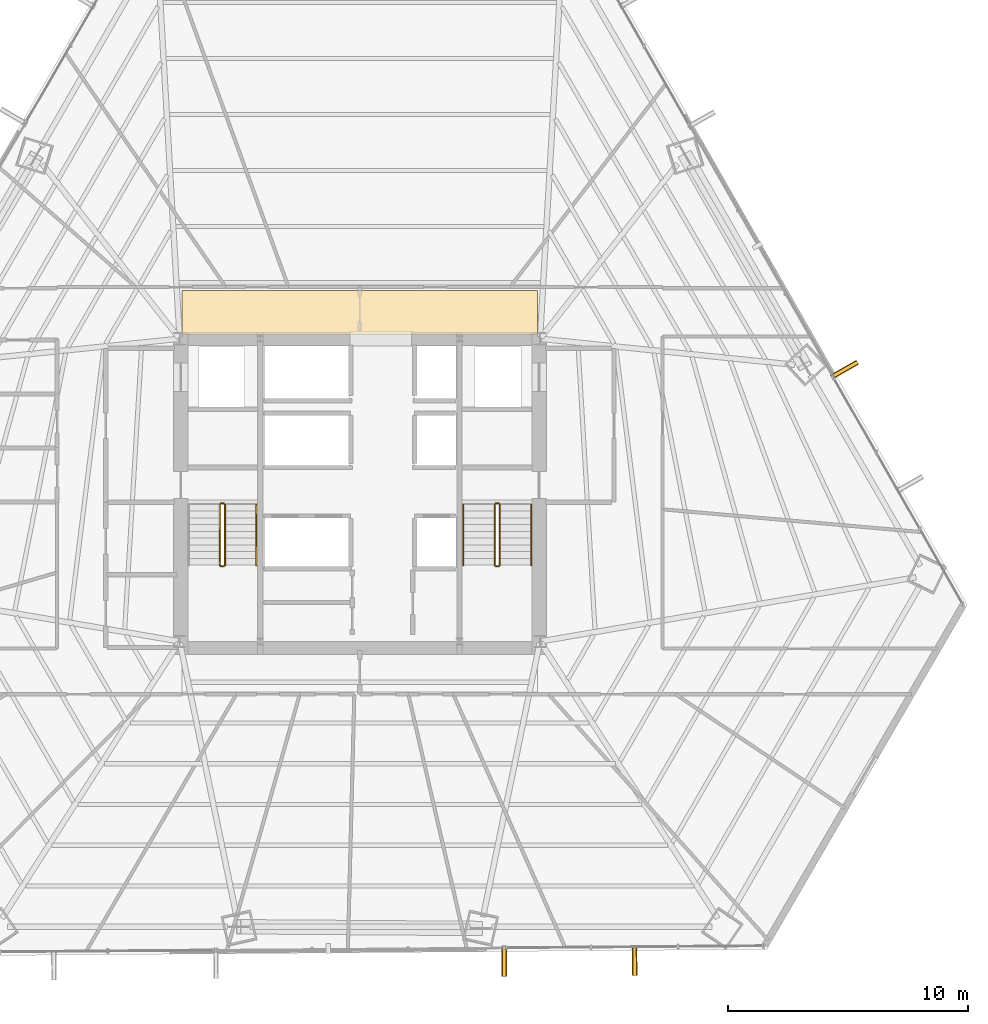
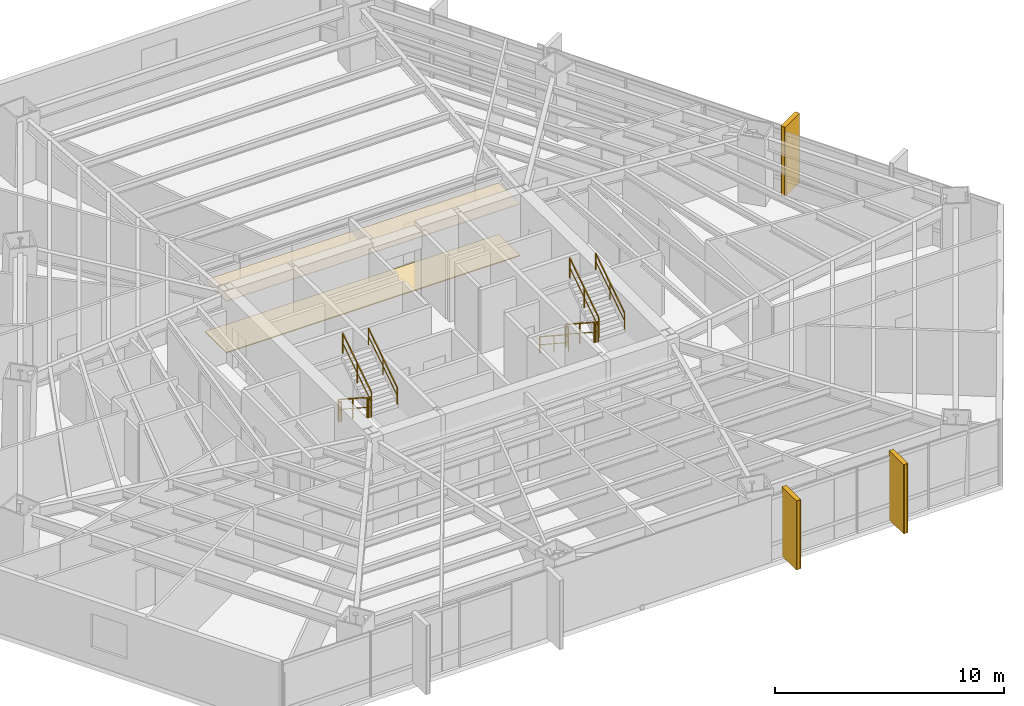
# One storey, part 35 of 36: 11 railings, 5 coverings, 3 shading devices.
"""IFC4 building model written with IfcOpenShell, lengths in metres."""

from ifc_helpers import new_model, si_unit, direction, frame, origin, origin_2d, place, context, subcontext, project, spatial, polyline, rectangle, outline, extrude, source, transform, mapped, material, layer, layer_set, type_object, type_shapes, element, save


model = new_model("IFC4")

# Units and contexts
model_context = context("Model", 3, precision=1e-05, world=origin(), true_north=direction((0.0, 1.0)))
body_context = subcontext(model_context, "Body", "Model", "MODEL_VIEW")
ifc_project = project(units=[si_unit("LENGTHUNIT", "METRE"), si_unit("AREAUNIT", "SQUARE_METRE"), si_unit("VOLUMEUNIT", "CUBIC_METRE"), si_unit("PLANEANGLEUNIT", "RADIAN"), si_unit("MASSUNIT", "GRAM", prefix="KILO")], contexts=[model_context])

# Site, building, storey
site_placement = place(None, origin())
site = spatial("IfcSite", under=ifc_project, at=site_placement, CompositionType="ELEMENT")
building_placement = place(site_placement, origin())
building = spatial("IfcBuilding", under=site, at=building_placement, Name="Caelisora Broadcast Tower", CompositionType="ELEMENT")
storey_placement = place(building_placement, frame((0.0, 0.0, 60.449951171875)))
storey = spatial("IfcBuildingStorey", under=building, at=storey_placement, Name="L15", CompositionType="ELEMENT", Elevation=60.449951171875)

# Coverings
ifc_material_1 = material(Name="Perforated Mineral-Fibre Acoustic Ceiling Tile", Category="gypsum")
ifc_layer_1 = layer(ifc_material_1, 0.034912109375, Name="Perforated Mineral-Fibre Acoustic Ceiling Tile")
ifc_layer_set_1 = layer_set([ifc_layer_1], Name="Perforated Mineral-Fibre Acoustic Ceiling Tile")
covering_type_1 = type_object("IfcCoveringType", Name="CE-1", PredefinedType="CEILING", material=ifc_layer_set_1)
covering_1_placement = place(storey_placement, frame((0.0, 0.0, 2.75)))
element("IfcCovering", 1, at=covering_1_placement, inside=storey, type_object=covering_type_1, Name="L15 acoustic corridor ceiling CE-1 (N)", PredefinedType="CEILING", context=body_context, shape_type="SweptSolid", body=[
    extrude(outline(polyline([(30.60009765625, 30.14990234375), (45.39990234375, 30.14990234375), (45.39990234375, 32.0), (30.60009765625, 32.0), (30.60009765625, 30.14990234375)])), origin(), (0.0, 0.0, 1.0), 0.03515625),
])
ifc_material_2 = material(Name="Anti-Static Broadcast Raised Access Floor Panel", Category="steel")
ifc_layer_2 = layer(ifc_material_2, 0.044921875, Name="Anti-Static Broadcast Raised Access Floor Panel")
ifc_layer_set_2 = layer_set([ifc_layer_2], Name="Anti-Static Broadcast Raised Access Floor Panel")
covering_type_2 = type_object("IfcCoveringType", Name="FL-1", PredefinedType="FLOORING", material=ifc_layer_set_2)
covering_2_placement = place(storey_placement, origin())
element("IfcCovering", 2, at=covering_2_placement, inside=storey, type_object=covering_type_2, Name="L15 broadcast raised access floor FL-1 (N)", PredefinedType="FLOORING", context=body_context, shape_type="SweptSolid", body=[
    extrude(outline(polyline([(30.60009765625, 30.14990234375), (45.39990234375, 30.14990234375), (45.39990234375, 32.0), (30.60009765625, 32.0), (30.60009765625, 30.14990234375)])), origin(), (0.0, 0.0, 1.0), 0.045166015625),
])

# Railings
ifc_material_3 = material(Name="Galvanised Steel Safety Guardrail", Category="steel")
ifc_layer_3 = layer(ifc_material_3, 0.048095703125, Name="Galvanised Steel Safety Guardrail")
ifc_layer_set_3 = layer_set([ifc_layer_3], Name="Galvanised Steel Safety Guardrail")
railing_type_1 = type_object("IfcRailingType", Name="GR-1", PredefinedType="GUARDRAIL", material=ifc_layer_set_3)
railing_1_placement = place(storey_placement, frame((32.169921875, 23.10009765625, 0.1826171875)))
element("IfcRailing", 3, at=railing_1_placement, inside=storey, type_object=railing_type_1, Name="L15 ST-1 stair guard 1", PredefinedType="GUARDRAIL", context=body_context, shape_type="SweptSolid", body=[
    extrude(rectangle(XDim=0.048095703125, YDim=0.048095703125, at=origin_2d()), frame((0.0, 0.0, 1.076171875), z_axis=(0.0, -0.837786554691, 0.545997883492), x_axis=(1.0, 0.0, 0.0)), (0.0, 0.0, 1.0), 3.008056640625),
    extrude(rectangle(XDim=0.03125, YDim=0.03125, at=origin_2d()), frame((0.0, 0.0, 0.550048828125), z_axis=(0.0, -0.837786554691, 0.545997883492), x_axis=(1.0, 0.0, 0.0)), (0.0, 0.0, 1.0), 3.008056640625),
    extrude(rectangle(XDim=0.0419921875, YDim=0.0419921875, at=origin_2d()), origin(), (0.0, 0.0, 1.0), 1.052001953125),
    extrude(rectangle(XDim=0.0419921875, YDim=0.0419921875, at=origin_2d()), frame((0.0, -1.260009765625, 0.8212890625)), (0.0, 0.0, 1.0), 1.052001953125),
    extrude(rectangle(XDim=0.0419921875, YDim=0.0419921875, at=origin_2d()), frame((0.0, -2.52001953125, 1.642333984375)), (0.0, 0.0, 1.0), 1.052001953125),
])
railing_2_placement = place(storey_placement, frame((32.219970703125, 20.530029296875, 1.824951171875)))
element("IfcRailing", 4, at=railing_2_placement, inside=storey, type_object=railing_type_1, Name="L15 ST-1 stair guard 2", PredefinedType="GUARDRAIL", context=body_context, shape_type="SweptSolid", body=[
    extrude(rectangle(XDim=0.048095703125, YDim=0.048095703125, at=origin_2d()), frame((0.0, 0.0, 1.076171875), z_axis=(1.0, 0.0, 0.0), x_axis=(0.0, 1.0, 0.0)), (0.0, 0.0, 1.0), 0.1201171875),
    extrude(rectangle(XDim=0.03125, YDim=0.03125, at=origin_2d()), frame((0.0, 0.0, 0.550048828125), z_axis=(1.0, 0.0, 0.0), x_axis=(0.0, 1.0, 0.0)), (0.0, 0.0, 1.0), 0.1201171875),
    extrude(rectangle(XDim=0.0419921875, YDim=0.0419921875, at=origin_2d()), origin(), (0.0, 0.0, 1.0), 1.052001953125),
    extrude(rectangle(XDim=0.0419921875, YDim=0.0419921875, at=origin_2d()), frame((0.1201171875, 0.0, 0.0)), (0.0, 0.0, 1.0), 1.052001953125),
])
railing_3_placement = place(storey_placement, frame((32.389892578125, 20.580078125, 2.007568359375)))
element("IfcRailing", 5, at=railing_3_placement, inside=storey, type_object=railing_type_1, Name="L15 ST-1 stair guard 3", PredefinedType="GUARDRAIL", context=body_context, shape_type="SweptSolid", body=[
    extrude(rectangle(XDim=0.048095703125, YDim=0.048095703125, at=origin_2d()), frame((0.0, 0.0, 1.076171875), z_axis=(0.0, 0.837749427056, 0.546054848405), x_axis=(-1.0, 0.0, 0.0)), (0.0, 0.0, 1.0), 3.008056640625),
    extrude(rectangle(XDim=0.03125, YDim=0.03125, at=origin_2d()), frame((0.0, 0.0, 0.550048828125), z_axis=(0.0, 0.837749427056, 0.546054848405), x_axis=(-1.0, 0.0, 0.0)), (0.0, 0.0, 1.0), 3.008056640625),
    extrude(rectangle(XDim=0.0419921875, YDim=0.0419921875, at=origin_2d()), origin(), (0.0, 0.0, 1.0), 1.052001953125),
    extrude(rectangle(XDim=0.0419921875, YDim=0.0419921875, at=origin_2d()), frame((0.0, 1.260009765625, 0.8212890625)), (0.0, 0.0, 1.0), 1.052001953125),
    extrude(rectangle(XDim=0.0419921875, YDim=0.0419921875, at=origin_2d()), frame((0.0, 2.52001953125, 1.642578125)), (0.0, 0.0, 1.0), 1.052001953125),
])
railing_4_placement = place(storey_placement, frame((32.219970703125, 23.14990234375, 0.0)))
element("IfcRailing", 6, at=railing_4_placement, inside=storey, type_object=railing_type_1, Name="L15 ST-1 stair guard 4", PredefinedType="GUARDRAIL", context=body_context, shape_type="SweptSolid", body=[
    extrude(rectangle(XDim=0.048095703125, YDim=0.048095703125, at=origin_2d()), frame((0.0, 0.0, 1.076171875), z_axis=(1.0, 0.0, 0.0), x_axis=(0.0, 1.0, 0.0)), (0.0, 0.0, 1.0), 0.1201171875),
    extrude(rectangle(XDim=0.03125, YDim=0.03125, at=origin_2d()), frame((0.0, 0.0, 0.550048828125), z_axis=(1.0, 0.0, 0.0), x_axis=(0.0, 1.0, 0.0)), (0.0, 0.0, 1.0), 0.1201171875),
    extrude(rectangle(XDim=0.0419921875, YDim=0.0419921875, at=origin_2d()), origin(), (0.0, 0.0, 1.0), 1.052001953125),
    extrude(rectangle(XDim=0.0419921875, YDim=0.0419921875, at=origin_2d()), frame((0.1201171875, 0.0, 0.0)), (0.0, 0.0, 1.0), 1.052001953125),
])
railing_5_placement = place(storey_placement, frame((43.610107421875, 23.10009765625, 0.1826171875)))
element("IfcRailing", 7, at=railing_5_placement, inside=storey, type_object=railing_type_1, Name="L15 ST-2 stair guard 1", PredefinedType="GUARDRAIL", context=body_context, shape_type="SweptSolid", body=[
    extrude(rectangle(XDim=0.048095703125, YDim=0.048095703125, at=origin_2d()), frame((0.0, 0.0, 1.076171875), z_axis=(0.0, -0.837786554691, 0.545997883492), x_axis=(1.0, 0.0, 0.0)), (0.0, 0.0, 1.0), 3.008056640625),
    extrude(rectangle(XDim=0.03125, YDim=0.03125, at=origin_2d()), frame((0.0, 0.0, 0.550048828125), z_axis=(0.0, -0.837786554691, 0.545997883492), x_axis=(1.0, 0.0, 0.0)), (0.0, 0.0, 1.0), 3.008056640625),
    extrude(rectangle(XDim=0.0419921875, YDim=0.0419921875, at=origin_2d()), origin(), (0.0, 0.0, 1.0), 1.052001953125),
    extrude(rectangle(XDim=0.0419921875, YDim=0.0419921875, at=origin_2d()), frame((0.0, -1.260009765625, 0.8212890625)), (0.0, 0.0, 1.0), 1.052001953125),
    extrude(rectangle(XDim=0.0419921875, YDim=0.0419921875, at=origin_2d()), frame((0.0, -2.52001953125, 1.642333984375)), (0.0, 0.0, 1.0), 1.052001953125),
])
railing_6_placement = place(storey_placement, frame((43.659912109375, 20.530029296875, 1.824951171875)))
element("IfcRailing", 8, at=railing_6_placement, inside=storey, type_object=railing_type_1, Name="L15 ST-2 stair guard 2", PredefinedType="GUARDRAIL", context=body_context, shape_type="SweptSolid", body=[
    extrude(rectangle(XDim=0.048095703125, YDim=0.048095703125, at=origin_2d()), frame((0.0, 0.0, 1.076171875), z_axis=(1.0, 0.0, 0.0), x_axis=(0.0, 1.0, 0.0)), (0.0, 0.0, 1.0), 0.1201171875),
    extrude(rectangle(XDim=0.03125, YDim=0.03125, at=origin_2d()), frame((0.0, 0.0, 0.550048828125), z_axis=(1.0, 0.0, 0.0), x_axis=(0.0, 1.0, 0.0)), (0.0, 0.0, 1.0), 0.1201171875),
    extrude(rectangle(XDim=0.0419921875, YDim=0.0419921875, at=origin_2d()), origin(), (0.0, 0.0, 1.0), 1.052001953125),
    extrude(rectangle(XDim=0.0419921875, YDim=0.0419921875, at=origin_2d()), frame((0.1201171875, 0.0, 0.0)), (0.0, 0.0, 1.0), 1.052001953125),
])
railing_7_placement = place(storey_placement, frame((43.830078125, 20.580078125, 2.007568359375)))
element("IfcRailing", 9, at=railing_7_placement, inside=storey, type_object=railing_type_1, Name="L15 ST-2 stair guard 3", PredefinedType="GUARDRAIL", context=body_context, shape_type="SweptSolid", body=[
    extrude(rectangle(XDim=0.048095703125, YDim=0.048095703125, at=origin_2d()), frame((0.0, 0.0, 1.076171875), z_axis=(0.0, 0.837749427056, 0.546054848405), x_axis=(-1.0, 0.0, 0.0)), (0.0, 0.0, 1.0), 3.008056640625),
    extrude(rectangle(XDim=0.03125, YDim=0.03125, at=origin_2d()), frame((0.0, 0.0, 0.550048828125), z_axis=(0.0, 0.837749427056, 0.546054848405), x_axis=(-1.0, 0.0, 0.0)), (0.0, 0.0, 1.0), 3.008056640625),
    extrude(rectangle(XDim=0.0419921875, YDim=0.0419921875, at=origin_2d()), origin(), (0.0, 0.0, 1.0), 1.052001953125),
    extrude(rectangle(XDim=0.0419921875, YDim=0.0419921875, at=origin_2d()), frame((0.0, 1.260009765625, 0.8212890625)), (0.0, 0.0, 1.0), 1.052001953125),
    extrude(rectangle(XDim=0.0419921875, YDim=0.0419921875, at=origin_2d()), frame((0.0, 2.52001953125, 1.642578125)), (0.0, 0.0, 1.0), 1.052001953125),
])
railing_8_placement = place(storey_placement, frame((43.659912109375, 23.14990234375, 0.0)))
element("IfcRailing", 10, at=railing_8_placement, inside=storey, type_object=railing_type_1, Name="L15 ST-2 stair guard 4", PredefinedType="GUARDRAIL", context=body_context, shape_type="SweptSolid", body=[
    extrude(rectangle(XDim=0.048095703125, YDim=0.048095703125, at=origin_2d()), frame((0.0, 0.0, 1.076171875), z_axis=(1.0, 0.0, 0.0), x_axis=(0.0, 1.0, 0.0)), (0.0, 0.0, 1.0), 0.1201171875),
    extrude(rectangle(XDim=0.03125, YDim=0.03125, at=origin_2d()), frame((0.0, 0.0, 0.550048828125), z_axis=(1.0, 0.0, 0.0), x_axis=(0.0, 1.0, 0.0)), (0.0, 0.0, 1.0), 0.1201171875),
    extrude(rectangle(XDim=0.0419921875, YDim=0.0419921875, at=origin_2d()), origin(), (0.0, 0.0, 1.0), 1.052001953125),
    extrude(rectangle(XDim=0.0419921875, YDim=0.0419921875, at=origin_2d()), frame((0.1201171875, 0.0, 0.0)), (0.0, 0.0, 1.0), 1.052001953125),
])
ifc_material_4 = material(Name="Stainless Steel Grade 316 Tubular Handrail", Category="steel")
ifc_layer_4 = layer(ifc_material_4, 0.048095703125, Name="Stainless Steel Grade 316 Tubular Handrail")
ifc_layer_set_4 = layer_set([ifc_layer_4], Name="Stainless Steel Grade 316 Tubular Handrail")
railing_type_2 = type_object("IfcRailingType", Name="HR-1", PredefinedType="HANDRAIL", material=ifc_layer_set_4)
railing_9_placement = place(storey_placement, frame((33.68994140625, 20.580078125, 2.007568359375)))
element("IfcRailing", 11, at=railing_9_placement, inside=storey, type_object=railing_type_2, Name="L15 ST-1 stair handrail 2", PredefinedType="HANDRAIL", context=body_context, shape_type="SweptSolid", body=[
    extrude(rectangle(XDim=0.048095703125, YDim=0.048095703125, at=origin_2d()), frame((0.0, 0.0, 0.8759765625), z_axis=(0.0, 0.837749427056, 0.546054848405), x_axis=(-1.0, 0.0, 0.0)), (0.0, 0.0, 1.0), 3.008056640625),
    extrude(rectangle(XDim=0.03125, YDim=0.03125, at=origin_2d()), frame((0.0, 0.0, 0.449951171875), z_axis=(0.0, 0.837749427056, 0.546054848405), x_axis=(-1.0, 0.0, 0.0)), (0.0, 0.0, 1.0), 3.008056640625),
    extrude(rectangle(XDim=0.0419921875, YDim=0.0419921875, at=origin_2d()), origin(), (0.0, 0.0, 1.0), 0.851806640625),
    extrude(rectangle(XDim=0.0419921875, YDim=0.0419921875, at=origin_2d()), frame((0.0, 1.260009765625, 0.8212890625)), (0.0, 0.0, 1.0), 0.851806640625),
    extrude(rectangle(XDim=0.0419921875, YDim=0.0419921875, at=origin_2d()), frame((0.0, 2.52001953125, 1.642578125)), (0.0, 0.0, 1.0), 0.851806640625),
])
railing_10_placement = place(storey_placement, frame((42.31005859375, 23.10009765625, 0.1826171875)))
element("IfcRailing", 12, at=railing_10_placement, inside=storey, type_object=railing_type_2, Name="L15 ST-2 stair handrail 1", PredefinedType="HANDRAIL", context=body_context, shape_type="SweptSolid", body=[
    extrude(rectangle(XDim=0.048095703125, YDim=0.048095703125, at=origin_2d()), frame((0.0, 0.0, 0.8759765625), z_axis=(0.0, -0.837786554691, 0.545997883492), x_axis=(1.0, 0.0, 0.0)), (0.0, 0.0, 1.0), 3.008056640625),
    extrude(rectangle(XDim=0.03125, YDim=0.03125, at=origin_2d()), frame((0.0, 0.0, 0.449951171875), z_axis=(0.0, -0.837786554691, 0.545997883492), x_axis=(1.0, 0.0, 0.0)), (0.0, 0.0, 1.0), 3.008056640625),
    extrude(rectangle(XDim=0.0419921875, YDim=0.0419921875, at=origin_2d()), origin(), (0.0, 0.0, 1.0), 0.851806640625),
    extrude(rectangle(XDim=0.0419921875, YDim=0.0419921875, at=origin_2d()), frame((0.0, -1.260009765625, 0.8212890625)), (0.0, 0.0, 1.0), 0.851806640625),
    extrude(rectangle(XDim=0.0419921875, YDim=0.0419921875, at=origin_2d()), frame((0.0, -2.52001953125, 1.642333984375)), (0.0, 0.0, 1.0), 0.851806640625),
])
railing_11_placement = place(storey_placement, frame((45.1298828125, 20.580078125, 2.007568359375)))
element("IfcRailing", 13, at=railing_11_placement, inside=storey, type_object=railing_type_2, Name="L15 ST-2 stair handrail 2", PredefinedType="HANDRAIL", context=body_context, shape_type="SweptSolid", body=[
    extrude(rectangle(XDim=0.048095703125, YDim=0.048095703125, at=origin_2d()), frame((0.0, 0.0, 0.8759765625), z_axis=(0.0, 0.837749427056, 0.546054848405), x_axis=(-1.0, 0.0, 0.0)), (0.0, 0.0, 1.0), 3.008056640625),
    extrude(rectangle(XDim=0.03125, YDim=0.03125, at=origin_2d()), frame((0.0, 0.0, 0.449951171875), z_axis=(0.0, 0.837749427056, 0.546054848405), x_axis=(-1.0, 0.0, 0.0)), (0.0, 0.0, 1.0), 3.008056640625),
    extrude(rectangle(XDim=0.0419921875, YDim=0.0419921875, at=origin_2d()), origin(), (0.0, 0.0, 1.0), 0.851806640625),
    extrude(rectangle(XDim=0.0419921875, YDim=0.0419921875, at=origin_2d()), frame((0.0, 1.260009765625, 0.8212890625)), (0.0, 0.0, 1.0), 0.851806640625),
    extrude(rectangle(XDim=0.0419921875, YDim=0.0419921875, at=origin_2d()), frame((0.0, 2.52001953125, 1.642578125)), (0.0, 0.0, 1.0), 0.851806640625),
])

# Coverings
ifc_material_5 = material(Name="Kiln-Fired Terracotta Spandrel Rainscreen Cladding", Category="ceramic")
ifc_layer_5 = layer(ifc_material_5, 0.044921875, Name="Kiln-Fired Terracotta Spandrel Rainscreen Cladding")
ifc_layer_set_5 = layer_set([ifc_layer_5], Name="Kiln-Fired Terracotta Spandrel Rainscreen Cladding")
covering_type_3 = type_object("IfcCoveringType", Name="CL-1", PredefinedType="CLADDING", material=ifc_layer_set_5)
shared_shape_1 = source(origin(), body_context, "Body", "SweptSolid", [
    extrude(rectangle(XDim=0.219970703125, YDim=1.25, at=origin_2d()), origin(), (0.0, 0.0, 1.0), 3.68994140625),
])
type_shapes(covering_type_3, [shared_shape_1])
for number, where, z_axis, x_axis, name in (
    (14, (58.17333984375, 28.712158203125, -0.02001953125), (0.0, 0.0, 1.0), (0.496064966839, -0.868285407383, 0.0), "L15 vertical solar fin cladding #1-3"),
    (15, (49.43701171875, 4.125, -0.02001953125), (0.0, 0.0, 1.0), (-0.99996777165, -0.00802842831, 0.0), "L15 vertical solar fin cladding #2-1"),
    (16, (44.0107421875, 4.081787109375, -0.02001953125), (0.0, 0.0, 1.0), (-0.99996777165, -0.00802842831, 0.0), "L15 vertical solar fin cladding #2-2"),
):
    element("IfcCovering", number, at=place(storey_placement, frame(where, z_axis=z_axis, x_axis=x_axis)), inside=storey, type_object=covering_type_3, Name=name, PredefinedType="CLADDING", context=body_context, shape_type="MappedRepresentation", body=[
        mapped(shared_shape_1, transform((0.0, 0.0, 0.0), scale=1.0)),
    ])

# Shading devices
ifc_material_6 = material(Name="Extruded Terracotta Flaring Colonnade Fin", Category="ceramic")
ifc_layer_6 = layer(ifc_material_6, 0.139892578125, Name="Extruded Terracotta Flaring Colonnade Fin")
ifc_layer_set_6 = layer_set([ifc_layer_6], Name="Extruded Terracotta Flaring Colonnade Fin")
shading_device_type = type_object("IfcShadingDeviceType", Name="FN-1", PredefinedType="USERDEFINED", material=ifc_layer_set_6)
shared_shape_2 = source(origin(), body_context, "Body", "SweptSolid", [
    extrude(rectangle(XDim=0.139892578125, YDim=1.25, at=origin_2d()), origin(), (0.0, 0.0, 1.0), 3.669921875),
])
type_shapes(shading_device_type, [shared_shape_2])
for number, where, z_axis, x_axis, name in (
    (17, (58.17333984375, 28.712158203125, -0.010009765625), (0.0, 0.0, 1.0), (0.496064966839, -0.868285407383, 0.0), "L15 vertical terracotta fin #1-3"),
    (18, (49.43701171875, 4.125, -0.010009765625), (0.0, 0.0, 1.0), (-0.99996777165, -0.00802842831, 0.0), "L15 vertical terracotta fin #2-1"),
    (19, (44.0107421875, 4.081787109375, -0.010009765625), (0.0, 0.0, 1.0), (-0.99996777165, -0.00802842831, 0.0), "L15 vertical terracotta fin #2-2"),
):
    element("IfcShadingDevice", number, at=place(storey_placement, frame(where, z_axis=z_axis, x_axis=x_axis)), inside=storey, type_object=shading_device_type, Name=name, ObjectType="FIN", PredefinedType="USERDEFINED", context=body_context, shape_type="MappedRepresentation", body=[
        mapped(shared_shape_2, transform((0.0, 0.0, 0.0), scale=1.0)),
    ])

save(model, "model.ifc")
